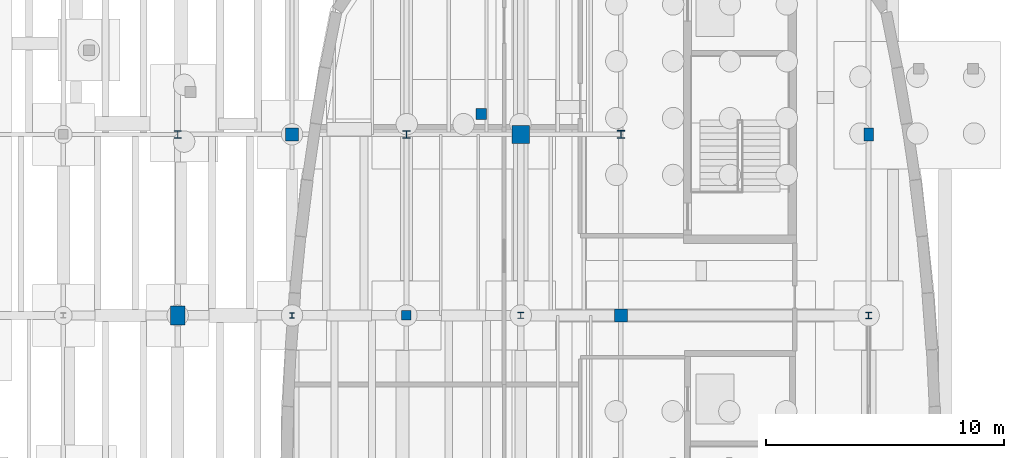
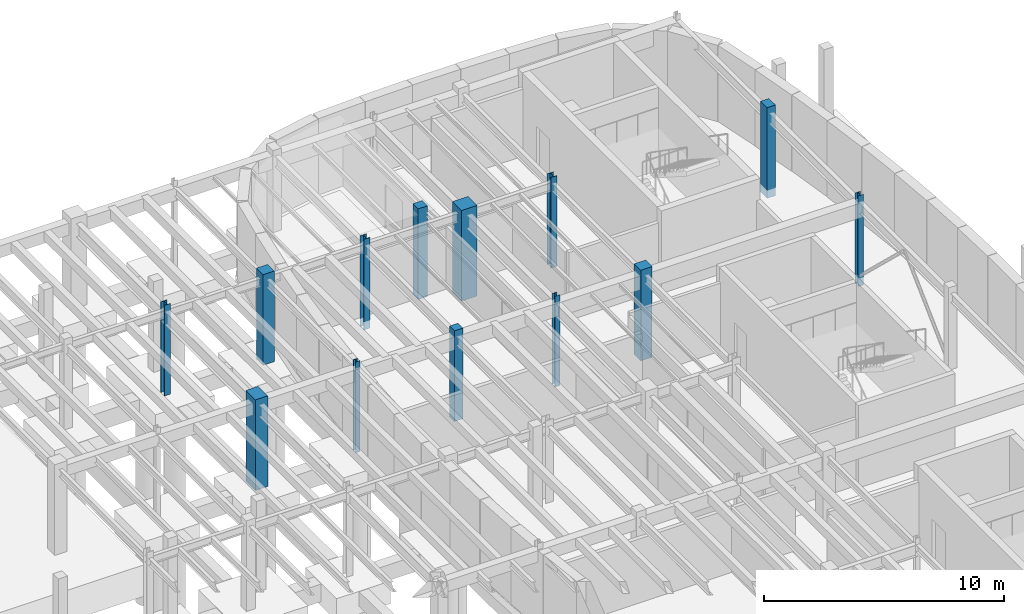
# One storey, part 22 of 45: 13 columns.
"""IFC4 building model written with IfcOpenShell, lengths in metres."""

from ifc_helpers import new_model, si_unit, direction, frame, origin, origin_2d, place, context, subcontext, project, spatial, rectangle, i_section, extrude, material, material_profile, profile_set, type_object, element, save


model = new_model("IFC4")

# Units and contexts
model_context = context("Model", 3, precision=1e-05, world=origin(), true_north=direction((0.0, 1.0)))
body_context = subcontext(model_context, "Body", "Model", "MODEL_VIEW")
ifc_project = project(units=[si_unit("LENGTHUNIT", "METRE"), si_unit("AREAUNIT", "SQUARE_METRE"), si_unit("VOLUMEUNIT", "CUBIC_METRE"), si_unit("PLANEANGLEUNIT", "RADIAN"), si_unit("MASSUNIT", "GRAM", prefix="KILO")], contexts=[model_context])

# Site, building, storey
site_placement = place(None, origin())
site = spatial("IfcSite", under=ifc_project, at=site_placement, CompositionType="ELEMENT")
building_placement = place(site_placement, origin())
building = spatial("IfcBuilding", under=site, at=building_placement, Name="Corveleigh Park Community Centre", CompositionType="ELEMENT")
storey_placement = place(building_placement, frame((0.0, 0.0, -4.199951171875)))
storey = spatial("IfcBuildingStorey", under=building, at=storey_placement, Name="B1", CompositionType="ELEMENT", Elevation=-4.199951171875)

# Columns
ifc_material_1 = material(Name="Concrete C40/50", Category="concrete")
ifc_material_profile_1 = material_profile(ifc_material_1, rectangle(XDim=0.39990234375, YDim=0.39990234375, at=origin_2d()), Name="RC-400x400", Category="concrete")
ifc_profile_set_1 = profile_set([ifc_material_profile_1], Name="Concrete C40/50")
column_type_1 = type_object("IfcColumnType", Name="COL-RC-400x400", PredefinedType="COLUMN", material=ifc_profile_set_1)
column_1_placement = place(storey_placement, frame((149.0, 89.0, -0.4150390625), z_axis=(0.0, 0.0, 1.0), x_axis=(1.0, 0.0, 0.0)))
element("IfcColumn", 1, at=column_1_placement, inside=storey, type_object=column_type_1, Name="Column V4-X4Y4 B1", PredefinedType="COLUMN", context=body_context, shape_type="SweptSolid", body=[
    extrude(rectangle(XDim=0.39990234375, YDim=0.39990234375, at=origin_2d()), origin(), (0.0, 0.0, 1.0), 4.614990234375),
])
ifc_material_profile_2 = material_profile(ifc_material_1, rectangle(XDim=0.39990234375, YDim=0.550048828125, at=origin_2d()), Name="RC-400x550", Category="concrete")
ifc_profile_set_2 = profile_set([ifc_material_profile_2], Name="Concrete C40/50")
column_type_2 = type_object("IfcColumnType", Name="COL-RC-400x550", PredefinedType="COLUMN", material=ifc_profile_set_2)
column_2_placement = place(storey_placement, frame((168.39990234375, 96.60009765625, -0.4150390625), z_axis=(0.0, 0.0, 1.0), x_axis=(1.0, 0.0, 0.0)))
element("IfcColumn", 2, at=column_2_placement, inside=storey, type_object=column_type_2, Name="Column V4-X7Y5 B1", PredefinedType="COLUMN", context=body_context, shape_type="SweptSolid", body=[
    extrude(rectangle(XDim=0.39990234375, YDim=0.550048828125, at=origin_2d()), origin(), (0.0, 0.0, 1.0), 4.614990234375),
])
ifc_material_profile_3 = material_profile(ifc_material_1, rectangle(XDim=0.449951171875, YDim=0.449951171875, at=origin_2d()), Name="RC-450x450", Category="concrete")
ifc_profile_set_3 = profile_set([ifc_material_profile_3], Name="Concrete C40/50")
column_type_3 = type_object("IfcColumnType", Name="COL-RC-450x450", PredefinedType="COLUMN", material=ifc_profile_set_3)
column_3_placement = place(storey_placement, frame((152.14697265625, 97.4560546875, -0.4150390625), z_axis=(0.0, 0.0, 1.0), x_axis=(1.0, 0.0, 0.0)))
element("IfcColumn", 3, at=column_3_placement, inside=storey, type_object=column_type_3, Name="External deck support pier 140 B1", PredefinedType="COLUMN", context=body_context, shape_type="SweptSolid", body=[
    extrude(rectangle(XDim=0.449951171875, YDim=0.449951171875, at=origin_2d()), origin(), (0.0, 0.0, 1.0), 4.614990234375),
])
ifc_material_profile_4 = material_profile(ifc_material_1, rectangle(XDim=0.550048828125, YDim=0.550048828125, at=origin_2d()), Name="RC-550x550", Category="concrete")
ifc_profile_set_4 = profile_set([ifc_material_profile_4], Name="Concrete C40/50")
column_type_4 = type_object("IfcColumnType", Name="COL-RC-550x550", PredefinedType="COLUMN", material=ifc_profile_set_4)
for number, where, z_axis, x_axis, name in (
    (4, (144.199951171875, 96.60009765625, -0.4150390625), (0.0, 0.0, 1.0), (1.0, 0.0, 0.0), "Column V4-X3Y5 B1"),
    (5, (158.0, 89.0, -0.4150390625), (0.0, 0.0, 1.0), (1.0, 0.0, 0.0), "Column V4-X6Y4 B1"),
):
    element("IfcColumn", number, at=place(storey_placement, frame(where, z_axis=z_axis, x_axis=x_axis)), inside=storey, type_object=column_type_4, Name=name, PredefinedType="COLUMN", context=body_context, shape_type="SweptSolid", body=[
        extrude(rectangle(XDim=0.550048828125, YDim=0.550048828125, at=origin_2d()), origin(), (0.0, 0.0, 1.0), 4.614990234375),
    ])
ifc_material_profile_5 = material_profile(ifc_material_1, rectangle(XDim=0.60009765625, YDim=0.800048828125, at=origin_2d()), Name="RC-600x800", Category="concrete")
ifc_profile_set_5 = profile_set([ifc_material_profile_5], Name="Concrete C40/50")
column_type_5 = type_object("IfcColumnType", Name="COL-RC-600x800", PredefinedType="COLUMN", material=ifc_profile_set_5)
column_4_placement = place(storey_placement, frame((139.39990234375, 89.0, -0.4150390625), z_axis=(0.0, 0.0, 1.0), x_axis=(1.0, 0.0, 0.0)))
element("IfcColumn", 6, at=column_4_placement, inside=storey, type_object=column_type_5, Name="Column V4-X2Y4 B1", PredefinedType="COLUMN", context=body_context, shape_type="SweptSolid", body=[
    extrude(rectangle(XDim=0.60009765625, YDim=0.800048828125, at=origin_2d()), origin(), (0.0, 0.0, 1.0), 4.614990234375),
])
ifc_material_profile_6 = material_profile(ifc_material_1, rectangle(XDim=0.75, YDim=0.75, at=origin_2d()), Name="RC-750x750", Category="concrete")
ifc_profile_set_6 = profile_set([ifc_material_profile_6], Name="Concrete C40/50")
column_type_6 = type_object("IfcColumnType", Name="COL-RC-750x750", PredefinedType="COLUMN", material=ifc_profile_set_6)
column_5_placement = place(storey_placement, frame((153.800048828125, 96.60009765625, -0.4150390625), z_axis=(0.0, 0.0, 1.0), x_axis=(1.0, 0.0, 0.0)))
element("IfcColumn", 7, at=column_5_placement, inside=storey, type_object=column_type_6, Name="Column V4-X5Y5 B1", PredefinedType="COLUMN", context=body_context, shape_type="SweptSolid", body=[
    extrude(rectangle(XDim=0.75, YDim=0.75, at=origin_2d()), origin(), (0.0, 0.0, 1.0), 4.614990234375),
])
ifc_material_2 = material(Name="Steel S355", Category="steel")
ifc_material_profile_7 = material_profile(ifc_material_2, i_section(OverallWidth=0.206298828125, OverallDepth=0.2158203125, WebThickness=0.010009765625, FlangeThickness=0.017333984375, at=origin_2d()), Name="UKC 203x203x71", Category="steel")
ifc_profile_set_7 = profile_set([ifc_material_profile_7], Name="Steel S355")
column_type_7 = type_object("IfcColumnType", Name="COL-STL-UKC203x71", PredefinedType="COLUMN", material=ifc_profile_set_7)
column_6_placement = place(storey_placement, frame((144.199951171875, 89.0, -0.4150390625), z_axis=(0.0, 0.0, 1.0), x_axis=(1.0, 0.0, 0.0)))
element("IfcColumn", 8, at=column_6_placement, inside=storey, type_object=column_type_7, Name="Column V4-X3Y4 B1", PredefinedType="COLUMN", context=body_context, shape_type="SweptSolid", body=[
    extrude(i_section(OverallWidth=0.206298828125, OverallDepth=0.2158203125, WebThickness=0.010009765625, FlangeThickness=0.017333984375, at=origin_2d()), origin(), (0.0, 0.0, 1.0), 4.614990234375),
])
ifc_material_profile_8 = material_profile(ifc_material_2, i_section(OverallWidth=0.254638671875, OverallDepth=0.254150390625, WebThickness=0.008544921875, FlangeThickness=0.01416015625, at=origin_2d()), Name="UKC 254x254x73", Category="steel")
ifc_profile_set_8 = profile_set([ifc_material_profile_8], Name="Steel S355")
column_type_8 = type_object("IfcColumnType", Name="COL-STL-UKC254x73", PredefinedType="COLUMN", material=ifc_profile_set_8)
column_7_placement = place(storey_placement, frame((153.800048828125, 89.0, -0.4150390625), z_axis=(0.0, 0.0, 1.0), x_axis=(1.0, 0.0, 0.0)))
element("IfcColumn", 9, at=column_7_placement, inside=storey, type_object=column_type_8, Name="Column V4-X5Y4 B1", PredefinedType="COLUMN", context=body_context, shape_type="SweptSolid", body=[
    extrude(i_section(OverallWidth=0.254638671875, OverallDepth=0.254150390625, WebThickness=0.008544921875, FlangeThickness=0.01416015625, at=origin_2d()), origin(), (0.0, 0.0, 1.0), 4.614990234375),
])
ifc_material_profile_9 = material_profile(ifc_material_2, i_section(OverallWidth=0.25634765625, OverallDepth=0.26025390625, WebThickness=0.01025390625, FlangeThickness=0.017333984375, at=origin_2d()), Name="UKC 254x254x89", Category="steel")
ifc_profile_set_9 = profile_set([ifc_material_profile_9], Name="Steel S355")
column_type_9 = type_object("IfcColumnType", Name="COL-STL-UKC254x89", PredefinedType="COLUMN", material=ifc_profile_set_9)
column_8_placement = place(storey_placement, frame((168.39990234375, 89.0, -0.4150390625), z_axis=(0.0, 0.0, 1.0), x_axis=(1.0, 0.0, 0.0)))
element("IfcColumn", 10, at=column_8_placement, inside=storey, type_object=column_type_9, Name="Column V4-X7Y4 B1", PredefinedType="COLUMN", context=body_context, shape_type="SweptSolid", body=[
    extrude(i_section(OverallWidth=0.25634765625, OverallDepth=0.26025390625, WebThickness=0.01025390625, FlangeThickness=0.017333984375, at=origin_2d()), origin(), (0.0, 0.0, 1.0), 4.614990234375),
])
ifc_material_profile_10 = material_profile(ifc_material_2, i_section(OverallWidth=0.307373046875, OverallDepth=0.314453125, WebThickness=0.011962890625, FlangeThickness=0.018798828125, at=origin_2d()), Name="UKC 305x305x118", Category="steel")
ifc_profile_set_10 = profile_set([ifc_material_profile_10], Name="Steel S355")
column_type_10 = type_object("IfcColumnType", Name="COL-STL-UKC305x118", PredefinedType="COLUMN", material=ifc_profile_set_10)
column_9_placement = place(storey_placement, frame((139.39990234375, 96.60009765625, -0.4150390625), z_axis=(0.0, 0.0, 1.0), x_axis=(1.0, 0.0, 0.0)))
element("IfcColumn", 11, at=column_9_placement, inside=storey, type_object=column_type_10, Name="Column V4-X2Y5 B1", PredefinedType="COLUMN", context=body_context, shape_type="SweptSolid", body=[
    extrude(i_section(OverallWidth=0.307373046875, OverallDepth=0.314453125, WebThickness=0.011962890625, FlangeThickness=0.018798828125, at=origin_2d()), origin(), (0.0, 0.0, 1.0), 4.614990234375),
])
ifc_material_profile_11 = material_profile(ifc_material_2, i_section(OverallWidth=0.30908203125, OverallDepth=0.320556640625, WebThickness=0.013916015625, FlangeThickness=0.021728515625, at=origin_2d()), Name="UKC 305x305x137", Category="steel")
ifc_profile_set_11 = profile_set([ifc_material_profile_11], Name="Steel S355")
column_type_11 = type_object("IfcColumnType", Name="COL-STL-UKC305x137", PredefinedType="COLUMN", material=ifc_profile_set_11)
column_10_placement = place(storey_placement, frame((149.0, 96.60009765625, -0.4150390625), z_axis=(0.0, 0.0, 1.0), x_axis=(1.0, 0.0, 0.0)))
element("IfcColumn", 12, at=column_10_placement, inside=storey, type_object=column_type_11, Name="Column V4-X4Y5 B1", PredefinedType="COLUMN", context=body_context, shape_type="SweptSolid", body=[
    extrude(i_section(OverallWidth=0.30908203125, OverallDepth=0.320556640625, WebThickness=0.013916015625, FlangeThickness=0.021728515625, at=origin_2d()), origin(), (0.0, 0.0, 1.0), 4.614990234375),
])
ifc_material_profile_12 = material_profile(ifc_material_2, i_section(OverallWidth=0.311279296875, OverallDepth=0.3271484375, WebThickness=0.015869140625, FlangeThickness=0.02490234375, at=origin_2d()), Name="UKC 305x305x158", Category="steel")
ifc_profile_set_12 = profile_set([ifc_material_profile_12], Name="Steel S355")
column_type_12 = type_object("IfcColumnType", Name="COL-STL-UKC305x158", PredefinedType="COLUMN", material=ifc_profile_set_12)
column_11_placement = place(storey_placement, frame((158.0, 96.60009765625, -0.4150390625), z_axis=(0.0, 0.0, 1.0), x_axis=(1.0, 0.0, 0.0)))
element("IfcColumn", 13, at=column_11_placement, inside=storey, type_object=column_type_12, Name="Column V4-X6Y5 B1", PredefinedType="COLUMN", context=body_context, shape_type="SweptSolid", body=[
    extrude(i_section(OverallWidth=0.311279296875, OverallDepth=0.3271484375, WebThickness=0.015869140625, FlangeThickness=0.02490234375, at=origin_2d()), origin(), (0.0, 0.0, 1.0), 4.614990234375),
])

save(model, "model.ifc")
